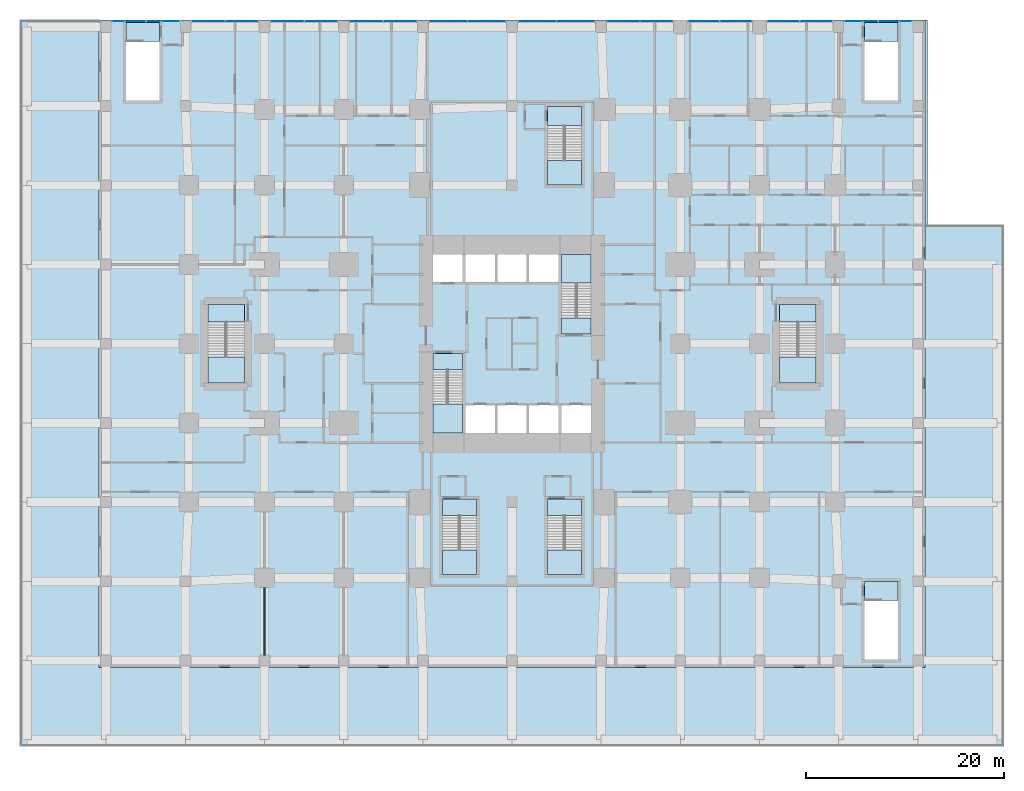
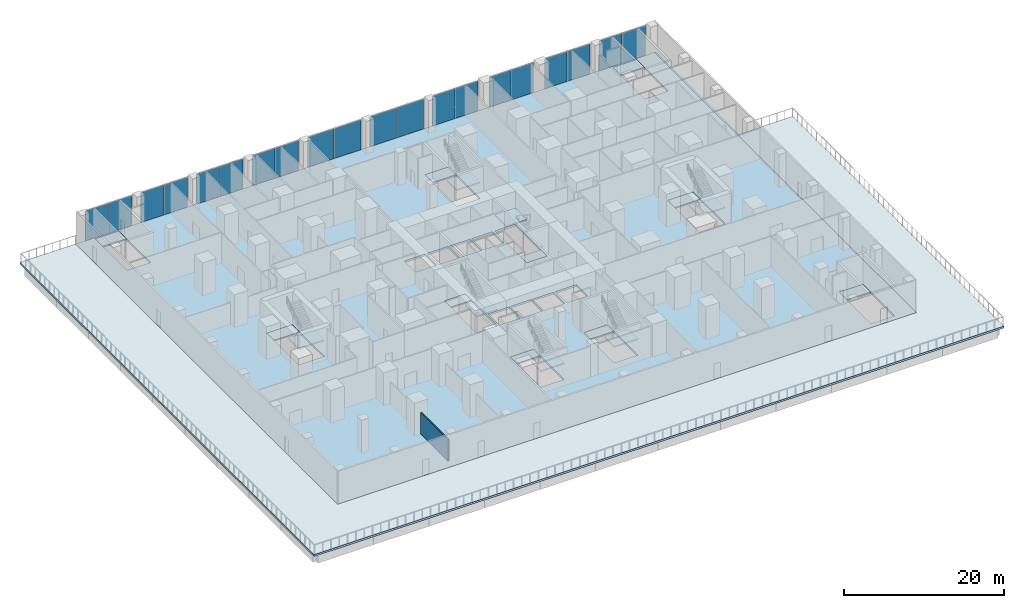
# One storey, part 5 of 19: 20 plates, 19 slabs, 1 wall, 17 elements without a shape of their own.
"""IFC4 building model written with IfcOpenShell, lengths in metres."""

from ifc_helpers import new_model, si_unit, direction, frame, frame_2d, origin, origin_2d, place, context, subcontext, project, spatial, polyline, rectangle, outline, extrude, material, layer, layer_set, type_object, element, aggregate, save


model = new_model("IFC4")

# Units and contexts
model_context = context("Model", 3, precision=1e-05, world=origin(), true_north=direction((0.0, 1.0)))
body_context = subcontext(model_context, "Body", "Model", "MODEL_VIEW")
ifc_project = project(units=[si_unit("LENGTHUNIT", "METRE"), si_unit("AREAUNIT", "SQUARE_METRE"), si_unit("VOLUMEUNIT", "CUBIC_METRE"), si_unit("PLANEANGLEUNIT", "RADIAN"), si_unit("MASSUNIT", "GRAM", prefix="KILO")], contexts=[model_context])

# Site, building, storey
site_placement = place(None, origin())
site = spatial("IfcSite", under=ifc_project, at=site_placement, CompositionType="ELEMENT")
building_placement = place(site_placement, origin())
building = spatial("IfcBuilding", under=site, at=building_placement, Name="Cleftline Residences", CompositionType="ELEMENT")
storey_placement = place(building_placement, frame((0.0, 0.0, 11.0)))
storey = spatial("IfcBuildingStorey", under=building, at=storey_placement, Name="L02", CompositionType="ELEMENT", Elevation=11.0)

# Curtain wall, plates
ifc_material_1 = material(Name="Aluminium framed curtain wall", Category="aluminium")
ifc_layer_1 = layer(ifc_material_1, 0.199951171875)
ifc_layer_set_1 = layer_set([ifc_layer_1], Name="CW2 PODIUM GLAZING")
curtain_wall_type = type_object("IfcCurtainWallType", Name="CW2 PODIUM GLAZING", PredefinedType="NOTDEFINED", material=ifc_layer_set_1)
curtain_wall_1_placement = place(storey_placement, origin())
curtain_wall_1 = element("IfcCurtainWall", 1, at=curtain_wall_1_placement, inside=storey, type_object=curtain_wall_type, Name="Curtain wall CW2", PredefinedType="NOTDEFINED")
ifc_material_2 = material(Name="Laminated clear glass", Category="glass")
ifc_layer_2 = layer(ifc_material_2, 0.028076171875)
ifc_layer_set_2 = layer_set([ifc_layer_2], Name="CW2 GLASS PANEL")
plate_type = type_object("IfcPlateType", Name="CW2 GLASS PANEL", PredefinedType="CURTAIN_PANEL", material=ifc_layer_set_2)
plate_1_placement = place(storey_placement, frame((71.705078125, 56.574951171875, 0.080078125), z_axis=(0.0, 0.0, 1.0), x_axis=(-1.0, 0.0, 0.0)))
plate_1 = element("IfcPlate", 2, at=plate_1_placement, type_object=plate_type, Name="CW2 panel 1.1", PredefinedType="CURTAIN_PANEL", context=body_context, shape_type="SweptSolid", body=[
    extrude(rectangle(XDim=3.330078125, YDim=0.028076171875, at=origin_2d()), origin(), (0.0, 0.0, 1.0), 4.5400390625),
])
plate_2_placement = place(storey_placement, frame((68.294921875, 56.574951171875, 0.080078125), z_axis=(0.0, 0.0, 1.0), x_axis=(-1.0, 0.0, 0.0)))
plate_2 = element("IfcPlate", 3, at=plate_2_placement, type_object=plate_type, Name="CW2 panel 2.1", PredefinedType="CURTAIN_PANEL", context=body_context, shape_type="SweptSolid", body=[
    extrude(rectangle(XDim=3.330078125, YDim=0.028076171875, at=origin_2d()), origin(), (0.0, 0.0, 1.0), 4.5400390625),
])
aggregate(curtain_wall_1, [plate_1, plate_2])

curtain_wall_2_placement = place(storey_placement, origin())
curtain_wall_2 = element("IfcCurtainWall", 4, at=curtain_wall_2_placement, inside=storey, type_object=curtain_wall_type, Name="Curtain wall CW2", PredefinedType="NOTDEFINED")
plate_3_placement = place(storey_placement, frame((63.742431640625, 56.574951171875, 0.080078125), z_axis=(0.0, 0.0, 1.0), x_axis=(-1.0, 0.0, 0.0)))
plate_3 = element("IfcPlate", 5, at=plate_3_placement, type_object=plate_type, Name="CW2 panel 1.1", PredefinedType="CURTAIN_PANEL", context=body_context, shape_type="SweptSolid", body=[
    extrude(rectangle(XDim=3.2548828125, YDim=0.028076171875, at=origin_2d()), origin(), (0.0, 0.0, 1.0), 4.5400390625),
])
plate_4_placement = place(storey_placement, frame((60.407470703125, 56.574951171875, 0.080078125), z_axis=(0.0, 0.0, 1.0), x_axis=(-1.0, 0.0, 0.0)))
plate_4 = element("IfcPlate", 6, at=plate_4_placement, type_object=plate_type, Name="CW2 panel 2.1", PredefinedType="CURTAIN_PANEL", context=body_context, shape_type="SweptSolid", body=[
    extrude(rectangle(XDim=3.2548828125, YDim=0.028076171875, at=origin_2d()), origin(), (0.0, 0.0, 1.0), 4.5400390625),
])
aggregate(curtain_wall_2, [plate_3, plate_4])

curtain_wall_3_placement = place(storey_placement, origin())
curtain_wall_3 = element("IfcCurtainWall", 7, at=curtain_wall_3_placement, inside=storey, type_object=curtain_wall_type, Name="Curtain wall CW2", PredefinedType="NOTDEFINED")
plate_5_placement = place(storey_placement, frame((55.6298828125, 56.574951171875, 0.080078125), z_axis=(0.0, 0.0, 1.0), x_axis=(-1.0, 0.0, 0.0)))
plate_5 = element("IfcPlate", 8, at=plate_5_placement, type_object=plate_type, Name="CW2 panel 1.1", PredefinedType="CURTAIN_PANEL", context=body_context, shape_type="SweptSolid", body=[
    extrude(rectangle(XDim=3.179931640625, YDim=0.028076171875, at=origin_2d()), origin(), (0.0, 0.0, 1.0), 4.5400390625),
])
plate_6_placement = place(storey_placement, frame((52.3701171875, 56.574951171875, 0.080078125), z_axis=(0.0, 0.0, 1.0), x_axis=(-1.0, 0.0, 0.0)))
plate_6 = element("IfcPlate", 9, at=plate_6_placement, type_object=plate_type, Name="CW2 panel 2.1", PredefinedType="CURTAIN_PANEL", context=body_context, shape_type="SweptSolid", body=[
    extrude(rectangle(XDim=3.179931640625, YDim=0.028076171875, at=origin_2d()), origin(), (0.0, 0.0, 1.0), 4.5400390625),
])
aggregate(curtain_wall_3, [plate_5, plate_6])

curtain_wall_4_placement = place(storey_placement, origin())
curtain_wall_4 = element("IfcCurtainWall", 10, at=curtain_wall_4_placement, inside=storey, type_object=curtain_wall_type, Name="Curtain wall CW2", PredefinedType="NOTDEFINED")
plate_7_placement = place(storey_placement, frame((47.592529296875, 56.574951171875, 0.080078125), z_axis=(0.0, 0.0, 1.0), x_axis=(-1.0, 0.0, 0.0)))
plate_7 = element("IfcPlate", 11, at=plate_7_placement, type_object=plate_type, Name="CW2 panel 1.1", PredefinedType="CURTAIN_PANEL", context=body_context, shape_type="SweptSolid", body=[
    extrude(rectangle(XDim=3.2548828125, YDim=0.028076171875, at=origin_2d()), origin(), (0.0, 0.0, 1.0), 4.5400390625),
])
plate_8_placement = place(storey_placement, frame((44.257568359375, 56.574951171875, 0.080078125), z_axis=(0.0, 0.0, 1.0), x_axis=(-1.0, 0.0, 0.0)))
plate_8 = element("IfcPlate", 12, at=plate_8_placement, type_object=plate_type, Name="CW2 panel 2.1", PredefinedType="CURTAIN_PANEL", context=body_context, shape_type="SweptSolid", body=[
    extrude(rectangle(XDim=3.2548828125, YDim=0.028076171875, at=origin_2d()), origin(), (0.0, 0.0, 1.0), 4.5400390625),
])
aggregate(curtain_wall_4, [plate_7, plate_8])

curtain_wall_5_placement = place(storey_placement, origin())
curtain_wall_5 = element("IfcCurtainWall", 13, at=curtain_wall_5_placement, inside=storey, type_object=curtain_wall_type, Name="Curtain wall CW2", PredefinedType="NOTDEFINED")
plate_9_placement = place(storey_placement, frame((39.455078125, 56.574951171875, 0.080078125), z_axis=(0.0, 0.0, 1.0), x_axis=(-1.0, 0.0, 0.0)))
plate_9 = element("IfcPlate", 14, at=plate_9_placement, type_object=plate_type, Name="CW2 panel 1.1", PredefinedType="CURTAIN_PANEL", context=body_context, shape_type="SweptSolid", body=[
    extrude(rectangle(XDim=3.830078125, YDim=0.028076171875, at=origin_2d()), origin(), (0.0, 0.0, 1.0), 4.5400390625),
])
plate_10_placement = place(storey_placement, frame((35.544921875, 56.574951171875, 0.080078125), z_axis=(0.0, 0.0, 1.0), x_axis=(-1.0, 0.0, 0.0)))
plate_10 = element("IfcPlate", 15, at=plate_10_placement, type_object=plate_type, Name="CW2 panel 2.1", PredefinedType="CURTAIN_PANEL", context=body_context, shape_type="SweptSolid", body=[
    extrude(rectangle(XDim=3.830078125, YDim=0.028076171875, at=origin_2d()), origin(), (0.0, 0.0, 1.0), 4.5400390625),
])
aggregate(curtain_wall_5, [plate_9, plate_10])

curtain_wall_6_placement = place(storey_placement, origin())
curtain_wall_6 = element("IfcCurtainWall", 16, at=curtain_wall_6_placement, inside=storey, type_object=curtain_wall_type, Name="Curtain wall CW2", PredefinedType="NOTDEFINED")
plate_11_placement = place(storey_placement, frame((30.455078125, 56.574951171875, 0.080078125), z_axis=(0.0, 0.0, 1.0), x_axis=(-1.0, 0.0, 0.0)))
plate_11 = element("IfcPlate", 17, at=plate_11_placement, type_object=plate_type, Name="CW2 panel 1.1", PredefinedType="CURTAIN_PANEL", context=body_context, shape_type="SweptSolid", body=[
    extrude(rectangle(XDim=3.830078125, YDim=0.028076171875, at=origin_2d()), origin(), (0.0, 0.0, 1.0), 4.5400390625),
])
plate_12_placement = place(storey_placement, frame((26.544921875, 56.574951171875, 0.080078125), z_axis=(0.0, 0.0, 1.0), x_axis=(-1.0, 0.0, 0.0)))
plate_12 = element("IfcPlate", 18, at=plate_12_placement, type_object=plate_type, Name="CW2 panel 2.1", PredefinedType="CURTAIN_PANEL", context=body_context, shape_type="SweptSolid", body=[
    extrude(rectangle(XDim=3.830078125, YDim=0.028076171875, at=origin_2d()), origin(), (0.0, 0.0, 1.0), 4.5400390625),
])
aggregate(curtain_wall_6, [plate_11, plate_12])

curtain_wall_7_placement = place(storey_placement, origin())
curtain_wall_7 = element("IfcCurtainWall", 19, at=curtain_wall_7_placement, inside=storey, type_object=curtain_wall_type, Name="Curtain wall CW2", PredefinedType="NOTDEFINED")
plate_13_placement = place(storey_placement, frame((21.705078125, 56.574951171875, 0.080078125), z_axis=(0.0, 0.0, 1.0), x_axis=(-1.0, 0.0, 0.0)))
plate_13 = element("IfcPlate", 20, at=plate_13_placement, type_object=plate_type, Name="CW2 panel 1.1", PredefinedType="CURTAIN_PANEL", context=body_context, shape_type="SweptSolid", body=[
    extrude(rectangle(XDim=3.330078125, YDim=0.028076171875, at=origin_2d()), origin(), (0.0, 0.0, 1.0), 4.5400390625),
])
plate_14_placement = place(storey_placement, frame((18.294921875, 56.574951171875, 0.080078125), z_axis=(0.0, 0.0, 1.0), x_axis=(-1.0, 0.0, 0.0)))
plate_14 = element("IfcPlate", 21, at=plate_14_placement, type_object=plate_type, Name="CW2 panel 2.1", PredefinedType="CURTAIN_PANEL", context=body_context, shape_type="SweptSolid", body=[
    extrude(rectangle(XDim=3.330078125, YDim=0.028076171875, at=origin_2d()), origin(), (0.0, 0.0, 1.0), 4.5400390625),
])
aggregate(curtain_wall_7, [plate_13, plate_14])

curtain_wall_8_placement = place(storey_placement, origin())
curtain_wall_8 = element("IfcCurtainWall", 22, at=curtain_wall_8_placement, inside=storey, type_object=curtain_wall_type, Name="Curtain wall CW2", PredefinedType="NOTDEFINED")
plate_15_placement = place(storey_placement, frame((13.705078125, 56.574951171875, 0.080078125), z_axis=(0.0, 0.0, 1.0), x_axis=(-1.0, 0.0, 0.0)))
plate_15 = element("IfcPlate", 23, at=plate_15_placement, type_object=plate_type, Name="CW2 panel 1.1", PredefinedType="CURTAIN_PANEL", context=body_context, shape_type="SweptSolid", body=[
    extrude(rectangle(XDim=3.330078125, YDim=0.028076171875, at=origin_2d()), origin(), (0.0, 0.0, 1.0), 4.5400390625),
])
plate_16_placement = place(storey_placement, frame((10.294921875, 56.574951171875, 0.080078125), z_axis=(0.0, 0.0, 1.0), x_axis=(-1.0, 0.0, 0.0)))
plate_16 = element("IfcPlate", 24, at=plate_16_placement, type_object=plate_type, Name="CW2 panel 2.1", PredefinedType="CURTAIN_PANEL", context=body_context, shape_type="SweptSolid", body=[
    extrude(rectangle(XDim=3.330078125, YDim=0.028076171875, at=origin_2d()), origin(), (0.0, 0.0, 1.0), 4.5400390625),
])
aggregate(curtain_wall_8, [plate_15, plate_16])

curtain_wall_9_placement = place(storey_placement, origin())
curtain_wall_9 = element("IfcCurtainWall", 25, at=curtain_wall_9_placement, inside=storey, type_object=curtain_wall_type, Name="Curtain wall CW2", PredefinedType="NOTDEFINED")
plate_17_placement = place(storey_placement, frame((5.705078125, 56.574951171875, 0.080078125), z_axis=(0.0, 0.0, 1.0), x_axis=(-1.0, 0.0, 0.0)))
plate_17 = element("IfcPlate", 26, at=plate_17_placement, type_object=plate_type, Name="CW2 panel 1.1", PredefinedType="CURTAIN_PANEL", context=body_context, shape_type="SweptSolid", body=[
    extrude(rectangle(XDim=3.330078125, YDim=0.028076171875, at=origin_2d()), origin(), (0.0, 0.0, 1.0), 4.5400390625),
])
plate_18_placement = place(storey_placement, frame((2.294921875, 56.574951171875, 0.080078125), z_axis=(0.0, 0.0, 1.0), x_axis=(-1.0, 0.0, 0.0)))
plate_18 = element("IfcPlate", 27, at=plate_18_placement, type_object=plate_type, Name="CW2 panel 2.1", PredefinedType="CURTAIN_PANEL", context=body_context, shape_type="SweptSolid", body=[
    extrude(rectangle(XDim=3.330078125, YDim=0.028076171875, at=origin_2d()), origin(), (0.0, 0.0, 1.0), 4.5400390625),
])
aggregate(curtain_wall_9, [plate_17, plate_18])

curtain_wall_10_placement = place(storey_placement, origin())
curtain_wall_10 = element("IfcCurtainWall", 28, at=curtain_wall_10_placement, inside=storey, type_object=curtain_wall_type, Name="Curtain wall CW2", PredefinedType="NOTDEFINED")
plate_19_placement = place(storey_placement, frame((-2.294921875, 56.574951171875, 0.080078125), z_axis=(0.0, 0.0, 1.0), x_axis=(-1.0, 0.0, 0.0)))
plate_19 = element("IfcPlate", 29, at=plate_19_placement, type_object=plate_type, Name="CW2 panel 1.1", PredefinedType="CURTAIN_PANEL", context=body_context, shape_type="SweptSolid", body=[
    extrude(rectangle(XDim=3.330078125, YDim=0.028076171875, at=origin_2d()), origin(), (0.0, 0.0, 1.0), 4.5400390625),
])
plate_20_placement = place(storey_placement, frame((-5.705078125, 56.574951171875, 0.080078125), z_axis=(0.0, 0.0, 1.0), x_axis=(-1.0, 0.0, 0.0)))
plate_20 = element("IfcPlate", 30, at=plate_20_placement, type_object=plate_type, Name="CW2 panel 2.1", PredefinedType="CURTAIN_PANEL", context=body_context, shape_type="SweptSolid", body=[
    extrude(rectangle(XDim=3.330078125, YDim=0.028076171875, at=origin_2d()), origin(), (0.0, 0.0, 1.0), 4.5400390625),
])
aggregate(curtain_wall_10, [plate_19, plate_20])

# Slab
ifc_material_3 = material(Name="Concrete B45", Category="concrete")
ifc_layer_3 = layer(ifc_material_3, 0.300048828125)
ifc_layer_set_3 = layer_set([ifc_layer_3], Name="FLOOR SLAB 300")
slab_type_1 = type_object("IfcSlabType", Name="FLOOR SLAB 300", PredefinedType="FLOOR", material=ifc_layer_set_3)
slab_1_placement = place(storey_placement, frame((0.0, 0.0, -0.300048828125)))
element("IfcSlab", 31, at=slab_1_placement, inside=storey, type_object=slab_type_1, Name="Floor slab L02", PredefinedType="FLOOR", context=body_context, shape_type="SweptSolid", body=[
    extrude(outline(polyline([(74.699951171875, 56.699951171875), (-8.699951171875, 56.699951171875), (-8.699951171875, -8.699951171875), (74.699951171875, -8.699951171875), (74.699951171875, 56.699951171875)]), holes=[polyline([(28.0, 15.0), (28.0, 23.0), (25.0, 23.0), (25.0, 15.0), (28.0, 15.0)]), polyline([(41.0, 25.0), (41.0, 33.0), (38.0, 33.0), (38.0, 25.0), (41.0, 25.0)]), polyline([(28.0, 30.199951171875), (28.0, 33.0), (25.0, 33.0), (25.0, 30.199951171875), (28.0, 30.199951171875)]), polyline([(41.0, 15.0), (41.0, 17.800048828125), (38.0, 17.800048828125), (38.0, 15.0), (41.0, 15.0)]), polyline([(31.300048828125, 15.0), (31.300048828125, 17.800048828125), (28.300048828125, 17.800048828125), (28.300048828125, 15.0), (31.300048828125, 15.0)]), polyline([(34.5, 15.0), (34.5, 17.800048828125), (31.5, 17.800048828125), (31.5, 15.0), (34.5, 15.0)]), polyline([(37.699951171875, 15.0), (37.699951171875, 17.800048828125), (34.699951171875, 17.800048828125), (34.699951171875, 15.0), (37.699951171875, 15.0)]), polyline([(31.300048828125, 30.199951171875), (31.300048828125, 33.0), (28.300048828125, 33.0), (28.300048828125, 30.199951171875), (31.300048828125, 30.199951171875)]), polyline([(34.5, 30.199951171875), (34.5, 33.0), (31.5, 33.0), (31.5, 30.199951171875), (34.5, 30.199951171875)]), polyline([(37.699951171875, 30.199951171875), (37.699951171875, 33.0), (34.699951171875, 33.0), (34.699951171875, 30.199951171875), (37.699951171875, 30.199951171875)]), polyline([(29.39990234375, 0.699951171875), (29.39990234375, 8.300048828125), (26.0, 8.300048828125), (26.0, 0.699951171875), (29.39990234375, 0.699951171875)]), polyline([(40.0, 0.699951171875), (40.0, 8.300048828125), (36.60009765625, 8.300048828125), (36.60009765625, 0.699951171875), (40.0, 0.699951171875)]), polyline([(40.0, 40.050048828125), (40.0, 47.949951171875), (36.60009765625, 47.949951171875), (36.60009765625, 40.050048828125), (40.0, 40.050048828125)]), polyline([(63.72509765625, 20.02490234375), (63.72509765625, 27.97509765625), (60.02490234375, 27.97509765625), (60.02490234375, 20.02490234375), (63.72509765625, 20.02490234375)]), polyline([(72.0, 48.550048828125), (72.0, 56.449951171875), (68.60009765625, 56.449951171875), (68.60009765625, 48.550048828125), (72.0, 48.550048828125)]), polyline([(72.0, -7.89990234375), (72.0, 0.0), (68.60009765625, 0.0), (68.60009765625, -7.89990234375), (72.0, -7.89990234375)]), polyline([(-2.60009765625, 48.550048828125), (-2.60009765625, 56.449951171875), (-6.0, 56.449951171875), (-6.0, 48.550048828125), (-2.60009765625, 48.550048828125)]), polyline([(5.97509765625, 20.02490234375), (5.97509765625, 27.97509765625), (2.27490234375, 27.97509765625), (2.27490234375, 20.02490234375), (5.97509765625, 20.02490234375)])]), origin(), (0.0, 0.0, 1.0), 0.300048828125),
])

# Stair, slabs
ifc_material_4 = material(Name="Concrete B45, stone treads", Category="masonry")
stair_type_1 = type_object("IfcStairType", Name="STAIR A 1450 WIDE 179 RISER", PredefinedType="HALF_TURN_STAIR", material=ifc_material_4)
stair_1_placement = place(storey_placement, origin())
stair_1 = element("IfcStair", 32, at=stair_1_placement, inside=storey, type_object=stair_type_1, Name="Stair A L02", PredefinedType="HALF_TURN_STAIR")
ifc_material_5 = material(Name="Concrete B45", Category="concrete")
ifc_layer_4 = layer(ifc_material_5, 0.199951171875)
ifc_layer_set_4 = layer_set([ifc_layer_4], Name="STAIR LANDING 200")
slab_type_2 = type_object("IfcSlabType", Name="STAIR LANDING 200", PredefinedType="LANDING", material=ifc_layer_set_4)
slab_2_placement = place(storey_placement, frame((0.0, 0.0, -0.199951171875)))
slab_2 = element("IfcSlab", 33, at=slab_2_placement, type_object=slab_type_2, Name="ST-A landing 1", PredefinedType="LANDING", context=body_context, shape_type="SweptSolid", body=[
    extrude(outline(polyline([(25.0, 21.39990234375), (28.0, 21.39990234375), (28.0, 23.0), (25.0, 23.0), (25.0, 21.39990234375)])), origin(), (0.0, 0.0, 1.0), 0.199951171875),
])
slab_3_placement = place(storey_placement, frame((0.0, 0.0, 2.300048828125)))
slab_3 = element("IfcSlab", 34, at=slab_3_placement, type_object=slab_type_2, Name="ST-A landing 2", PredefinedType="LANDING", context=body_context, shape_type="SweptSolid", body=[
    extrude(outline(polyline([(25.0, 15.0), (28.0, 15.0), (28.0, 17.889892578125), (25.0, 17.889892578125), (25.0, 15.0)])), origin(), (0.0, 0.0, 1.0), 0.199951171875),
])
aggregate(stair_1, [slab_2, slab_3])

ifc_material_6 = material(Name="Concrete B45, stone treads", Category="masonry")
stair_type_2 = type_object("IfcStairType", Name="STAIR B 1450 WIDE 179 RISER", PredefinedType="HALF_TURN_STAIR", material=ifc_material_6)
stair_2_placement = place(storey_placement, origin())
stair_2 = element("IfcStair", 35, at=stair_2_placement, inside=storey, type_object=stair_type_2, Name="Stair B L02", PredefinedType="HALF_TURN_STAIR")
slab_4_placement = place(storey_placement, frame((0.0, 0.0, -0.199951171875)))
slab_4 = element("IfcSlab", 36, at=slab_4_placement, type_object=slab_type_2, Name="ST-B landing 1", PredefinedType="LANDING", context=body_context, shape_type="SweptSolid", body=[
    extrude(outline(polyline([(38.0, 25.0), (41.0, 25.0), (41.0, 26.60009765625), (38.0, 26.60009765625), (38.0, 25.0)])), origin(), (0.0, 0.0, 1.0), 0.199951171875),
])
slab_5_placement = place(storey_placement, frame((0.0, 0.0, 2.300048828125)))
slab_5 = element("IfcSlab", 37, at=slab_5_placement, type_object=slab_type_2, Name="ST-B landing 2", PredefinedType="LANDING", context=body_context, shape_type="SweptSolid", body=[
    extrude(outline(polyline([(38.0, 30.110107421875), (41.0, 30.110107421875), (41.0, 33.0), (38.0, 33.0), (38.0, 30.110107421875)])), origin(), (0.0, 0.0, 1.0), 0.199951171875),
])
aggregate(stair_2, [slab_4, slab_5])

ifc_material_7 = material(Name="Concrete B45, stone treads", Category="masonry")
stair_type_3 = type_object("IfcStairType", Name="STAIR C 1630 WIDE 179 RISER", PredefinedType="HALF_TURN_STAIR", material=ifc_material_7)
stair_3_placement = place(storey_placement, origin())
stair_3 = element("IfcStair", 38, at=stair_3_placement, inside=storey, type_object=stair_type_3, Name="Stair C L02", PredefinedType="HALF_TURN_STAIR")
slab_6_placement = place(storey_placement, frame((0.0, 0.0, -0.199951171875)))
slab_6 = element("IfcSlab", 39, at=slab_6_placement, type_object=slab_type_2, Name="ST-C landing 1", PredefinedType="LANDING", context=body_context, shape_type="SweptSolid", body=[
    extrude(outline(polyline([(26.0, 6.669921875), (29.39990234375, 6.669921875), (29.39990234375, 8.300048828125), (26.0, 8.300048828125), (26.0, 6.669921875)])), origin(), (0.0, 0.0, 1.0), 0.199951171875),
])
slab_7_placement = place(storey_placement, frame((0.0, 0.0, 2.300048828125)))
slab_7 = element("IfcSlab", 40, at=slab_7_placement, type_object=slab_type_2, Name="ST-C landing 2", PredefinedType="LANDING", context=body_context, shape_type="SweptSolid", body=[
    extrude(outline(polyline([(26.0, 0.699951171875), (29.39990234375, 0.699951171875), (29.39990234375, 3.159912109375), (26.0, 3.159912109375), (26.0, 0.699951171875)])), origin(), (0.0, 0.0, 1.0), 0.199951171875),
])
aggregate(stair_3, [slab_6, slab_7])

ifc_material_8 = material(Name="Concrete B45, stone treads", Category="masonry")
stair_type_4 = type_object("IfcStairType", Name="STAIR C2 1630 WIDE 179 RISER", PredefinedType="HALF_TURN_STAIR", material=ifc_material_8)
stair_4_placement = place(storey_placement, origin())
stair_4 = element("IfcStair", 41, at=stair_4_placement, inside=storey, type_object=stair_type_4, Name="Stair C2 L02", PredefinedType="HALF_TURN_STAIR")
slab_8_placement = place(storey_placement, frame((0.0, 0.0, -0.199951171875)))
slab_8 = element("IfcSlab", 42, at=slab_8_placement, type_object=slab_type_2, Name="ST-C2 landing 1", PredefinedType="LANDING", context=body_context, shape_type="SweptSolid", body=[
    extrude(outline(polyline([(36.60009765625, 6.669921875), (40.0, 6.669921875), (40.0, 8.300048828125), (36.60009765625, 8.300048828125), (36.60009765625, 6.669921875)])), origin(), (0.0, 0.0, 1.0), 0.199951171875),
])
slab_9_placement = place(storey_placement, frame((0.0, 0.0, 2.300048828125)))
slab_9 = element("IfcSlab", 43, at=slab_9_placement, type_object=slab_type_2, Name="ST-C2 landing 2", PredefinedType="LANDING", context=body_context, shape_type="SweptSolid", body=[
    extrude(outline(polyline([(36.60009765625, 0.699951171875), (40.0, 0.699951171875), (40.0, 3.159912109375), (36.60009765625, 3.159912109375), (36.60009765625, 0.699951171875)])), origin(), (0.0, 0.0, 1.0), 0.199951171875),
])
aggregate(stair_4, [slab_8, slab_9])

ifc_material_9 = material(Name="Concrete B45, stone treads", Category="masonry")
stair_type_5 = type_object("IfcStairType", Name="STAIR D 1630 WIDE 179 RISER", PredefinedType="HALF_TURN_STAIR", material=ifc_material_9)
stair_5_placement = place(storey_placement, origin())
stair_5 = element("IfcStair", 44, at=stair_5_placement, inside=storey, type_object=stair_type_5, Name="Stair D L02", PredefinedType="HALF_TURN_STAIR")
slab_10_placement = place(storey_placement, frame((0.0, 0.0, -0.199951171875)))
slab_10 = element("IfcSlab", 45, at=slab_10_placement, type_object=slab_type_2, Name="ST-D landing 1", PredefinedType="LANDING", context=body_context, shape_type="SweptSolid", body=[
    extrude(outline(polyline([(36.60009765625, 46.02001953125), (40.0, 46.02001953125), (40.0, 47.949951171875), (36.60009765625, 47.949951171875), (36.60009765625, 46.02001953125)])), origin(), (0.0, 0.0, 1.0), 0.199951171875),
])
slab_11_placement = place(storey_placement, frame((0.0, 0.0, 2.300048828125)))
slab_11 = element("IfcSlab", 46, at=slab_11_placement, type_object=slab_type_2, Name="ST-D landing 2", PredefinedType="LANDING", context=body_context, shape_type="SweptSolid", body=[
    extrude(outline(polyline([(36.60009765625, 40.050048828125), (40.0, 40.050048828125), (40.0, 42.510009765625), (36.60009765625, 42.510009765625), (36.60009765625, 40.050048828125)])), origin(), (0.0, 0.0, 1.0), 0.199951171875),
])
aggregate(stair_5, [slab_10, slab_11])

ifc_material_10 = material(Name="Concrete B45, stone treads", Category="masonry")
stair_type_6 = type_object("IfcStairType", Name="STAIR E 1800 WIDE 179 RISER", PredefinedType="HALF_TURN_STAIR", material=ifc_material_10)
stair_6_placement = place(storey_placement, origin())
stair_6 = element("IfcStair", 47, at=stair_6_placement, inside=storey, type_object=stair_type_6, Name="Stair E L02", PredefinedType="HALF_TURN_STAIR")
slab_12_placement = place(storey_placement, frame((0.0, 0.0, -0.199951171875)))
slab_12 = element("IfcSlab", 48, at=slab_12_placement, type_object=slab_type_2, Name="ST-E landing 1", PredefinedType="LANDING", context=body_context, shape_type="SweptSolid", body=[
    extrude(outline(polyline([(60.02490234375, 26.175048828125), (63.72509765625, 26.175048828125), (63.72509765625, 27.97509765625), (60.02490234375, 27.97509765625), (60.02490234375, 26.175048828125)])), origin(), (0.0, 0.0, 1.0), 0.199951171875),
])
slab_13_placement = place(storey_placement, frame((0.0, 0.0, 2.300048828125)))
slab_13 = element("IfcSlab", 49, at=slab_13_placement, type_object=slab_type_2, Name="ST-E landing 2", PredefinedType="LANDING", context=body_context, shape_type="SweptSolid", body=[
    extrude(outline(polyline([(60.02490234375, 20.02490234375), (63.72509765625, 20.02490234375), (63.72509765625, 22.6650390625), (60.02490234375, 22.6650390625), (60.02490234375, 20.02490234375)])), origin(), (0.0, 0.0, 1.0), 0.199951171875),
])
aggregate(stair_6, [slab_12, slab_13])

# Slabs
slab_14_placement = place(storey_placement, frame((0.0, 0.0, -0.199951171875)))
element("IfcSlab", 50, at=slab_14_placement, inside=storey, type_object=slab_type_2, Name="Stair PS-E top landing", PredefinedType="LANDING", context=body_context, shape_type="SweptSolid", body=[
    extrude(outline(polyline([(68.60009765625, 54.52001953125), (72.0, 54.52001953125), (72.0, 56.449951171875), (68.60009765625, 56.449951171875), (68.60009765625, 54.52001953125)])), origin(), (0.0, 0.0, 1.0), 0.199951171875),
])
slab_15_placement = place(storey_placement, frame((0.0, 0.0, -0.199951171875)))
element("IfcSlab", 51, at=slab_15_placement, inside=storey, type_object=slab_type_2, Name="Stair PS-S top landing", PredefinedType="LANDING", context=body_context, shape_type="SweptSolid", body=[
    extrude(outline(polyline([(68.60009765625, -1.929931640625), (72.0, -1.929931640625), (72.0, 0.0), (68.60009765625, 0.0), (68.60009765625, -1.929931640625)])), origin(), (0.0, 0.0, 1.0), 0.199951171875),
])
slab_16_placement = place(storey_placement, frame((0.0, 0.0, -0.199951171875)))
element("IfcSlab", 52, at=slab_16_placement, inside=storey, type_object=slab_type_2, Name="Stair PS-W top landing", PredefinedType="LANDING", context=body_context, shape_type="SweptSolid", body=[
    extrude(outline(polyline([(-6.0, 54.52001953125), (-2.60009765625, 54.52001953125), (-2.60009765625, 56.449951171875), (-6.0, 56.449951171875), (-6.0, 54.52001953125)])), origin(), (0.0, 0.0, 1.0), 0.199951171875),
])

# Stair, slabs
ifc_material_11 = material(Name="Concrete B45, stone treads", Category="masonry")
stair_type_7 = type_object("IfcStairType", Name="STAIR W 1800 WIDE 179 RISER", PredefinedType="HALF_TURN_STAIR", material=ifc_material_11)
stair_7_placement = place(storey_placement, origin())
stair_7 = element("IfcStair", 53, at=stair_7_placement, inside=storey, type_object=stair_type_7, Name="Stair W L02", PredefinedType="HALF_TURN_STAIR")
slab_17_placement = place(storey_placement, frame((0.0, 0.0, -0.199951171875)))
slab_17 = element("IfcSlab", 54, at=slab_17_placement, type_object=slab_type_2, Name="ST-W landing 1", PredefinedType="LANDING", context=body_context, shape_type="SweptSolid", body=[
    extrude(outline(polyline([(2.27490234375, 26.175048828125), (5.97509765625, 26.175048828125), (5.97509765625, 27.97509765625), (2.27490234375, 27.97509765625), (2.27490234375, 26.175048828125)])), origin(), (0.0, 0.0, 1.0), 0.199951171875),
])
slab_18_placement = place(storey_placement, frame((0.0, 0.0, 2.300048828125)))
slab_18 = element("IfcSlab", 55, at=slab_18_placement, type_object=slab_type_2, Name="ST-W landing 2", PredefinedType="LANDING", context=body_context, shape_type="SweptSolid", body=[
    extrude(outline(polyline([(2.27490234375, 20.02490234375), (5.97509765625, 20.02490234375), (5.97509765625, 22.6650390625), (2.27490234375, 22.6650390625), (2.27490234375, 20.02490234375)])), origin(), (0.0, 0.0, 1.0), 0.199951171875),
])
aggregate(stair_7, [slab_17, slab_18])

# Slab
ifc_material_12 = material(Name="Concrete B45", Category="concrete")
ifc_layer_5 = layer(ifc_material_12, 0.300048828125)
ifc_layer_set_5 = layer_set([ifc_layer_5], Name="TERRACE SLAB 300")
slab_type_3 = type_object("IfcSlabType", Name="TERRACE SLAB 300", PredefinedType="FLOOR", material=ifc_layer_set_5)
slab_19_placement = place(storey_placement, frame((0.0, 0.0, -0.300048828125)))
element("IfcSlab", 56, at=slab_19_placement, inside=storey, type_object=slab_type_3, Name="Terrace slab L02 1", PredefinedType="FLOOR", context=body_context, shape_type="SweptSolid", body=[
    extrude(outline(polyline([(82.68994140625, -16.699951171875), (82.69091796875, -16.699951171875), (82.69189453125, -16.69970703125), (82.69287109375, -16.69970703125), (82.69384765625, -16.69921875), (82.694580078125, -16.69873046875), (82.695556640625, -16.6982421875), (82.6962890625, -16.69775390625), (82.697021484375, -16.697021484375), (82.69775390625, -16.6962890625), (82.6982421875, -16.695556640625), (82.69873046875, -16.694580078125), (82.69921875, -16.69384765625), (82.69970703125, -16.69287109375), (82.69970703125, -16.69189453125), (82.699951171875, -16.69091796875), (82.699951171875, -16.68994140625), (82.699951171875, 35.989990234375), (82.699951171875, 35.990966796875), (82.69970703125, 35.991943359375), (82.69970703125, 35.992919921875), (82.69921875, 35.993896484375), (82.69873046875, 35.99462890625), (82.6982421875, 35.99560546875), (82.69775390625, 35.996337890625), (82.697021484375, 35.9970703125), (82.6962890625, 35.997802734375), (82.695556640625, 35.998291015625), (82.694580078125, 35.998779296875), (82.69384765625, 35.999267578125), (82.69287109375, 35.99951171875), (82.69189453125, 35.999755859375), (82.69091796875, 36.0), (82.68994140625, 36.0), (74.9501953125, 36.0), (74.949951171875, 36.0), (74.949951171875, 36.000244140625), (74.949951171875, 56.68994140625), (74.949951171875, 56.69091796875), (74.94970703125, 56.69189453125), (74.94970703125, 56.69287109375), (74.94921875, 56.69384765625), (74.94873046875, 56.694580078125), (74.9482421875, 56.695556640625), (74.94775390625, 56.6962890625), (74.947021484375, 56.697021484375), (74.9462890625, 56.69775390625), (74.945556640625, 56.6982421875), (74.944580078125, 56.69873046875), (74.94384765625, 56.69921875), (74.94287109375, 56.69970703125), (74.94189453125, 56.69970703125), (74.94091796875, 56.699951171875), (74.93994140625, 56.699951171875), (74.7099609375, 56.699951171875), (74.708984375, 56.699951171875), (74.7080078125, 56.69970703125), (74.70703125, 56.69970703125), (74.706298828125, 56.69921875), (74.705322265625, 56.69873046875), (74.704345703125, 56.6982421875), (74.70361328125, 56.69775390625), (74.702880859375, 56.697021484375), (74.702392578125, 56.6962890625), (74.70166015625, 56.695556640625), (74.701171875, 56.694580078125), (74.70068359375, 56.69384765625), (74.700439453125, 56.69287109375), (74.7001953125, 56.69189453125), (74.699951171875, 56.69091796875), (74.699951171875, 56.68994140625), (74.699951171875, -8.69970703125), (74.699951171875, -8.699951171875), (74.69970703125, -8.699951171875), (-8.69970703125, -8.699951171875), (-8.699951171875, -8.699951171875), (-8.699951171875, -8.69970703125), (-8.699951171875, 56.68994140625), (-8.699951171875, 56.69091796875), (-8.7001953125, 56.69189453125), (-8.700439453125, 56.69287109375), (-8.70068359375, 56.69384765625), (-8.701171875, 56.694580078125), (-8.70166015625, 56.695556640625), (-8.702392578125, 56.6962890625), (-8.702880859375, 56.697021484375), (-8.70361328125, 56.69775390625), (-8.704345703125, 56.6982421875), (-8.705322265625, 56.69873046875), (-8.706298828125, 56.69921875), (-8.70703125, 56.69970703125), (-8.7080078125, 56.69970703125), (-8.708984375, 56.699951171875), (-8.7099609375, 56.699951171875), (-16.68994140625, 56.699951171875), (-16.69091796875, 56.699951171875), (-16.69189453125, 56.69970703125), (-16.69287109375, 56.69970703125), (-16.69384765625, 56.69921875), (-16.694580078125, 56.69873046875), (-16.695556640625, 56.6982421875), (-16.6962890625, 56.69775390625), (-16.697021484375, 56.697021484375), (-16.69775390625, 56.6962890625), (-16.6982421875, 56.695556640625), (-16.69873046875, 56.694580078125), (-16.69921875, 56.69384765625), (-16.69970703125, 56.69287109375), (-16.69970703125, 56.69189453125), (-16.699951171875, 56.69091796875), (-16.699951171875, 56.68994140625), (-16.699951171875, -16.68994140625), (-16.699951171875, -16.69091796875), (-16.69970703125, -16.69189453125), (-16.69970703125, -16.69287109375), (-16.69921875, -16.69384765625), (-16.69873046875, -16.694580078125), (-16.6982421875, -16.695556640625), (-16.69775390625, -16.6962890625), (-16.697021484375, -16.697021484375), (-16.6962890625, -16.69775390625), (-16.695556640625, -16.6982421875), (-16.694580078125, -16.69873046875), (-16.69384765625, -16.69921875), (-16.69287109375, -16.69970703125), (-16.69189453125, -16.69970703125), (-16.69091796875, -16.699951171875), (-16.68994140625, -16.699951171875), (82.68994140625, -16.699951171875)])), origin(), (0.0, 0.0, 1.0), 0.300048828125),
])

# Wall
ifc_material_13 = material(Name="Gypsum board on steel studs", Category="steel")
ifc_layer_6 = layer(ifc_material_13, 0.14990234375)
ifc_layer_set_6 = layer_set([ifc_layer_6], Name="PARTITION 150")
wall_type = type_object("IfcWallType", Name="PARTITION 150", PredefinedType="PARTITIONING", material=ifc_layer_set_6)
wall_placement = place(storey_placement, frame((8.0, -7.449951171875, 0.0), z_axis=(0.0, 0.0, 1.0), x_axis=(0.0, 1.0, 0.0)))
element("IfcWall", 57, at=wall_placement, inside=storey, type_object=wall_type, Name="Partition", PredefinedType="PARTITIONING", context=body_context, shape_type="SweptSolid", body=[
    extrude(rectangle(XDim=6.800048828125, YDim=0.14990234375, at=frame_2d((3.39990234375, 0.0))), origin(), (0.0, 0.0, 1.0), 3.300048828125),
])

save(model, "model.ifc")
